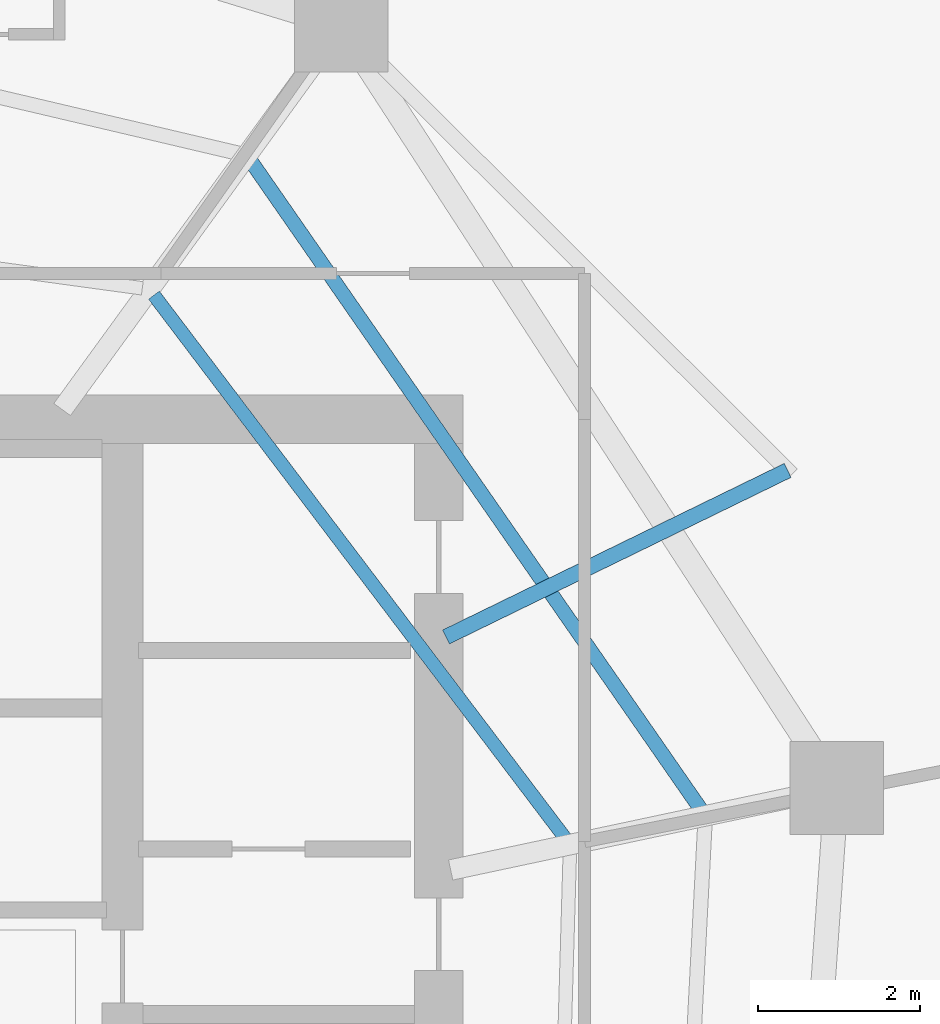
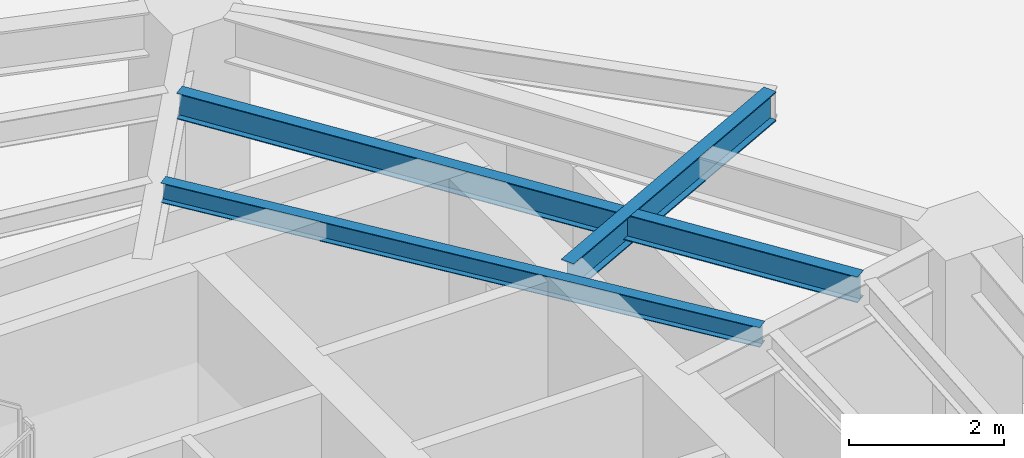
# One storey, part 14 of 29: 3 beams.
"""IFC4 building model written with IfcOpenShell, lengths in metres."""

from ifc_helpers import new_model, si_unit, direction, frame, origin, origin_2d, place, context, subcontext, project, spatial, i_section, extrude, material, material_profile, profile_set, type_object, element, save


model = new_model("IFC4")

# Units and contexts
model_context = context("Model", 3, precision=1e-05, world=origin(), true_north=direction((0.0, 1.0)))
body_context = subcontext(model_context, "Body", "Model", "MODEL_VIEW")
ifc_project = project(units=[si_unit("LENGTHUNIT", "METRE"), si_unit("AREAUNIT", "SQUARE_METRE"), si_unit("VOLUMEUNIT", "CUBIC_METRE"), si_unit("PLANEANGLEUNIT", "RADIAN"), si_unit("MASSUNIT", "GRAM", prefix="KILO")], contexts=[model_context])

# Site, building, storey
site_placement = place(None, origin())
site = spatial("IfcSite", under=ifc_project, at=site_placement, CompositionType="ELEMENT")
building_placement = place(site_placement, origin())
building = spatial("IfcBuilding", under=site, at=building_placement, Name="Qarnah Convention Tower", CompositionType="ELEMENT")
storey_placement = place(building_placement, frame((0.0, 0.0, 97.050048828125)))
storey = spatial("IfcBuildingStorey", under=building, at=storey_placement, Name="L25", CompositionType="ELEMENT", Elevation=97.050048828125)

# Beams
ifc_material = material(Name="Structural steel S355JR", Category="steel")
ifc_material_profile_1 = material_profile(ifc_material, i_section(OverallWidth=0.19189453125, OverallDepth=0.464111328125, WebThickness=0.010986328125, FlangeThickness=0.01806640625, at=origin_2d()), Name="W460X89")
ifc_profile_set_1 = profile_set([ifc_material_profile_1], Name="Structural steel S355JR")
beam_type_1 = type_object("IfcBeamType", Name="BM-CANT-W460A", PredefinedType="BEAM", material=ifc_profile_set_1)
beam_1_placement = place(storey_placement, frame((47.68994140625, 31.51611328125, 2.93798828125), z_axis=(0.898872044655, 0.438211190339, 0.0), x_axis=(-0.438211190339, 0.898872044655, 0.0)))
element("IfcBeam", 1, at=beam_1_placement, inside=storey, type_object=beam_type_1, Name="L25 beam BM-L25-CNT-01-2", PredefinedType="BEAM", context=body_context, shape_type="SweptSolid", body=[
    extrude(i_section(OverallWidth=0.19189453125, OverallDepth=0.464111328125, WebThickness=0.010986328125, FlangeThickness=0.01806640625, at=origin_2d()), origin(), (0.0, 0.0, 1.0), 4.687255859375),
])
ifc_material_profile_2 = material_profile(ifc_material, i_section(OverallWidth=0.166015625, OverallDepth=0.31201171875, WebThickness=0.007080078125, FlangeThickness=0.010986328125, at=origin_2d()), Name="W310X45")
ifc_profile_set_2 = profile_set([ifc_material_profile_2], Name="Structural steel S355JR")
beam_type_2 = type_object("IfcBeamType", Name="BM-JST-W310", PredefinedType="JOIST", material=ifc_profile_set_2)
beam_2_placement = place(storey_placement, frame((49.166015625, 29.027099609375, 3.013916015625), z_axis=(-0.60383365837, 0.797110351846, 0.0), x_axis=(-0.797110351846, -0.60383365837, 0.0)))
element("IfcBeam", 2, at=beam_2_placement, inside=storey, type_object=beam_type_2, Name="L25 joist BM-L25-IJST-01", PredefinedType="JOIST", context=body_context, shape_type="SweptSolid", body=[
    extrude(i_section(OverallWidth=0.166015625, OverallDepth=0.31201171875, WebThickness=0.007080078125, FlangeThickness=0.010986328125, at=origin_2d()), origin(), (0.0, 0.0, 1.0), 8.411376953125),
])
ifc_material_profile_3 = material_profile(ifc_material, i_section(OverallWidth=0.177978515625, OverallDepth=0.407958984375, WebThickness=0.008056640625, FlangeThickness=0.012939453125, at=origin_2d()), Name="W410X60")
ifc_profile_set_3 = profile_set([ifc_material_profile_3], Name="Structural steel S355JR")
beam_type_3 = type_object("IfcBeamType", Name="BM-JST-W410", PredefinedType="JOIST", material=ifc_profile_set_3)
beam_3_placement = place(storey_placement, frame((50.8369140625, 29.384033203125, 2.966064453125), z_axis=(-0.57026424233, 0.821461316144, 0.0), x_axis=(-0.821461316144, -0.57026424233, 0.0)))
element("IfcBeam", 3, at=beam_3_placement, inside=storey, type_object=beam_type_3, Name="L25 joist BM-L25-SJST-01", PredefinedType="JOIST", context=body_context, shape_type="SweptSolid", body=[
    extrude(i_section(OverallWidth=0.177978515625, OverallDepth=0.407958984375, WebThickness=0.008056640625, FlangeThickness=0.012939453125, at=origin_2d()), origin(), (0.0, 0.0, 1.0), 9.737548828125),
])

save(model, "model.ifc")
